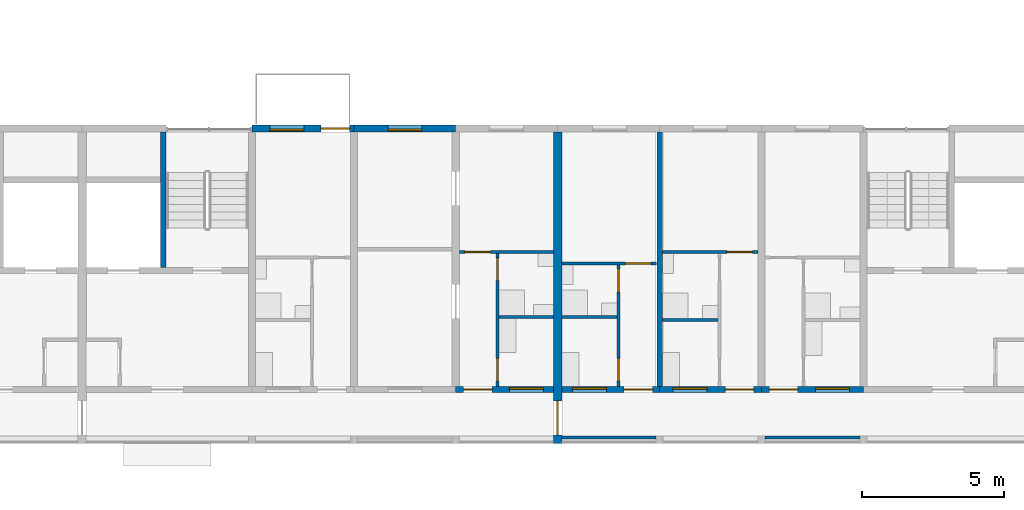
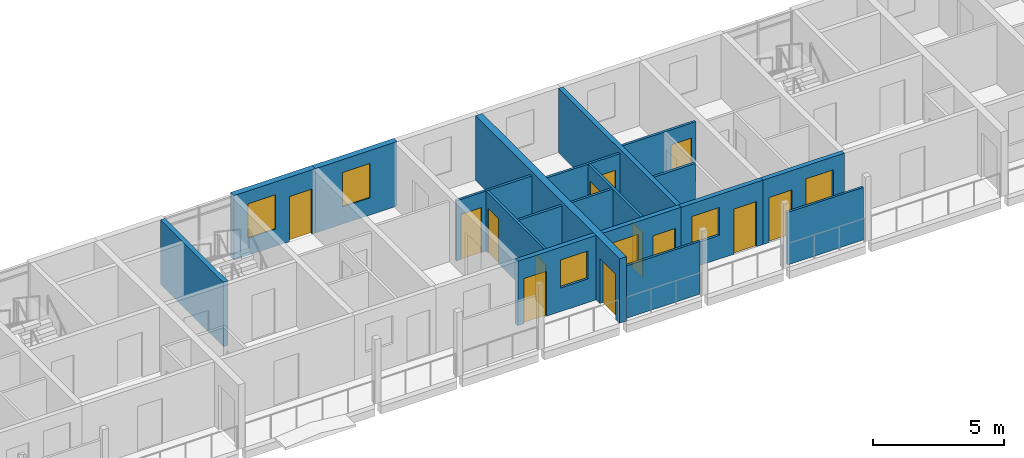
# One storey, part 33 of 100: 19 walls, 13 doors, 6 windows, 19 openings.
"""IFC4 building model written with IfcOpenShell, lengths in metres."""

from ifc_helpers import new_model, si_unit, direction, frame, frame_2d, origin, place, context, subcontext, project, spatial, rectangle, extrude, material, layer, layer_set, type_object, element, fill, save


model = new_model("IFC4")

# Units and contexts
model_context = context("Model", 3, precision=1e-05, world=origin(), true_north=direction((0.0, 1.0)))
body_context = subcontext(model_context, "Body", "Model", "MODEL_VIEW")
ifc_project = project(units=[si_unit("LENGTHUNIT", "METRE"), si_unit("AREAUNIT", "SQUARE_METRE"), si_unit("VOLUMEUNIT", "CUBIC_METRE"), si_unit("PLANEANGLEUNIT", "RADIAN"), si_unit("MASSUNIT", "GRAM", prefix="KILO")], contexts=[model_context])

# Site, building, storey
site_placement = place(None, origin())
site = spatial("IfcSite", under=ifc_project, at=site_placement, CompositionType="ELEMENT")
building_placement = place(site_placement, origin())
building = spatial("IfcBuilding", under=site, at=building_placement, Name="Ridgestep Commons", CompositionType="ELEMENT")
storey_placement = place(building_placement, frame((0.0, 0.0, 9.0)))
storey = spatial("IfcBuildingStorey", under=building, at=storey_placement, Name="L03", CompositionType="ELEMENT", Elevation=9.0)

# Walls
ifc_material_1 = material(Name="Concrete C30/37", Category="concrete")
ifc_layer_1 = layer(ifc_material_1, 0.199951171875)
ifc_layer_set_1 = layer_set([ifc_layer_1], Name="Core wall 200")
wall_type_1 = type_object("IfcWallType", Name="Core wall 200", PredefinedType="SHEAR", material=ifc_layer_set_1)
wall_1_placement = place(storey_placement, frame((48.47509765625, 17.949951171875, 0.0), z_axis=(0.0, 0.0, 1.0), x_axis=(0.0, 1.0, 0.0)))
element("IfcWall", 1, at=wall_1_placement, inside=storey, type_object=wall_type_1, Name="Core stair wall A3C L03", PredefinedType="SHEAR", context=body_context, shape_type="SweptSolid", body=[
    extrude(rectangle(XDim=4.800048828125, YDim=0.199951171875, at=frame_2d((2.39990234375, 0.0))), origin(), (0.0, 0.0, 1.0), 3.0),
])
ifc_material_2 = material(Name="Precast concrete C40/50", Category="concrete")
ifc_layer_2 = layer(ifc_material_2, 0.199951171875)
ifc_layer_set_2 = layer_set([ifc_layer_2], Name="Cross wall 200")
wall_type_2 = type_object("IfcWallType", Name="Cross wall 200", PredefinedType="SHEAR", material=ifc_layer_set_2)
wall_2_placement = place(storey_placement, frame((66.0, 13.75, 0.0), z_axis=(0.0, 0.0, 1.0), x_axis=(0.0, 1.0, 0.0)))
element("IfcWall", 2, at=wall_2_placement, inside=storey, type_object=wall_type_2, Name="Cross wall A-03-0660", PredefinedType="SHEAR", context=body_context, shape_type="SweptSolid", body=[
    extrude(rectangle(XDim=9.0, YDim=0.199951171875, at=frame_2d((4.5, 0.0))), origin(), (0.0, 0.0, 1.0), 3.0),
])

# Wall, opening, door
ifc_material_3 = material(Name="Precast concrete C40/50", Category="concrete")
ifc_layer_3 = layer(ifc_material_3, 0.300048828125)
ifc_layer_set_3 = layer_set([ifc_layer_3], Name="Division wall 300")
wall_type_3 = type_object("IfcWallType", Name="Division wall 300", PredefinedType="SHEAR", material=ifc_layer_set_3)
wall_3_placement = place(storey_placement, frame((62.39990234375, 11.75, 0.0), z_axis=(0.0, 0.0, 1.0), x_axis=(0.0, 1.0, 0.0)))
wall_3 = element("IfcWall", 3, at=wall_3_placement, inside=storey, type_object=wall_type_3, Name="Cross wall A-03-0624", PredefinedType="SHEAR", context=body_context, shape_type="SweptSolid", body=[
    extrude(rectangle(XDim=11.0, YDim=0.300048828125, at=frame_2d((5.5, 0.0))), origin(), (0.0, 0.0, 1.0), 3.0),
])
opening_1_placement = place(wall_3_placement, frame((0.300048828125, 0.0, 0.0)))
opening_1 = element("IfcOpeningElement", 4, at=opening_1_placement, cuts=wall_3, Name="Opening A/03/G0624", PredefinedType="OPENING", context=body_context, shape_type="SweptSolid", body=[
    extrude(rectangle(XDim=1.199951171875, YDim=2.10009765625, at=frame_2d((0.60009765625, 1.050048828125))), frame((0.0, 0.159912109375, 0.0), z_axis=(0.0, -1.0, 0.0), x_axis=(1.0, 0.0, 0.0)), (0.0, 0.0, 1.0), 0.320068359375),
])
ifc_material_4 = material(Name="Steel fire door", Category="steel")
door_type_1 = type_object("IfcDoorType", Name="Division fire door 1200 x 2100 EI 240", OperationType="DOUBLE_DOOR_SINGLE_SWING", PredefinedType="DOOR", material=ifc_material_4)
door_1_placement = place(opening_1_placement, origin())
door_1 = element("IfcDoor", 5, at=door_1_placement, inside=storey, type_object=door_type_1, Name="Division fire door A/03/G0624", OperationType="DOUBLE_DOOR_SINGLE_SWING", OverallHeight=2.10009765625, OverallWidth=1.199951171875, PredefinedType="DOOR", context=body_context, shape_type="SweptSolid", body=[
    extrude(rectangle(XDim=1.199951171875, YDim=2.10009765625, at=frame_2d((0.60009765625, 1.050048828125))), frame((0.0, 0.02490234375, 0.0), z_axis=(0.0, -1.0, 0.0), x_axis=(1.0, 0.0, 0.0)), (0.0, 0.0, 1.0), 0.050048828125),
])
fill(opening_1, door_1)

# Wall, openings, door, window
ifc_material_5 = material(Name="Precast concrete C40/50", Category="concrete")
ifc_layer_4 = layer(ifc_material_5, 0.25)
ifc_layer_set_4 = layer_set([ifc_layer_4], Name="North facade panel 250")
wall_type_4 = type_object("IfcWallType", Name="North facade panel 250", PredefinedType="SOLIDWALL", material=ifc_layer_set_4)
wall_4_placement = place(storey_placement, frame((51.60009765625, 22.875, 0.0), z_axis=(0.0, 0.0, 1.0), x_axis=(1.0, 0.0, 0.0)))
wall_4 = element("IfcWall", 6, at=wall_4_placement, inside=storey, type_object=wall_type_4, Name="North panel A3T3 L03", PredefinedType="SOLIDWALL", context=body_context, shape_type="SweptSolid", body=[
    extrude(rectangle(XDim=3.599853515625, YDim=0.25, at=frame_2d((1.7998046875, 0.0))), origin(), (0.0, 0.0, 1.0), 3.0),
])
opening_2_placement = place(wall_4_placement, frame((0.637451171875, 0.0, 0.800048828125)))
opening_2 = element("IfcOpeningElement", 7, at=opening_2_placement, cuts=wall_4, Name="Opening W11", PredefinedType="OPENING", context=body_context, shape_type="SweptSolid", body=[
    extrude(rectangle(XDim=1.199951171875, YDim=1.60009765625, at=frame_2d((0.60009765625, 0.800048828125))), frame((0.0, 0.135009765625, 0.0), z_axis=(0.0, -1.0, 0.0), x_axis=(1.0, 0.0, 0.0)), (0.0, 0.0, 1.0), 0.27001953125),
])
opening_3_placement = place(wall_4_placement, frame((2.449951171875, 0.0, 0.0)))
opening_3 = element("IfcOpeningElement", 8, at=opening_3_placement, cuts=wall_4, Name="Opening A3-03b/5", PredefinedType="OPENING", context=body_context, shape_type="SweptSolid", body=[
    extrude(rectangle(XDim=1.0, YDim=2.10009765625, at=frame_2d((0.5, 1.050048828125))), frame((0.0, 0.135009765625, 0.0), z_axis=(0.0, -1.0, 0.0), x_axis=(1.0, 0.0, 0.0)), (0.0, 0.0, 1.0), 0.27001953125),
])
ifc_material_6 = material(Name="Aluminium and glass", Category="aluminium")
door_type_2 = type_object("IfcDoorType", Name="Balcony door 1000 x 2100", OperationType="NOTDEFINED", PredefinedType="DOOR", material=ifc_material_6)
door_2_placement = place(opening_3_placement, origin())
door_2 = element("IfcDoor", 9, at=door_2_placement, inside=storey, type_object=door_type_2, Name="Balcony door A3-03b/5", OperationType="SINGLE_SWING_LEFT", OverallHeight=2.10009765625, OverallWidth=1.0, PredefinedType="DOOR", context=body_context, shape_type="SweptSolid", body=[
    extrude(rectangle(XDim=1.0, YDim=2.10009765625, at=frame_2d((0.5, 1.050048828125))), frame((0.0, 0.02490234375, 0.0), z_axis=(0.0, -1.0, 0.0), x_axis=(1.0, 0.0, 0.0)), (0.0, 0.0, 1.0), 0.050048828125),
])
fill(opening_3, door_2)
ifc_material_7 = material(Name="Aluminium 6063-T6 and glass", Category="aluminium")
window_type_1 = type_object("IfcWindowType", Name="Flat window 1200 x 1600", PartitioningType="SINGLE_PANEL", PredefinedType="WINDOW", material=ifc_material_7)
window_1_placement = place(opening_2_placement, origin())
window_1 = element("IfcWindow", 10, at=window_1_placement, inside=storey, type_object=window_type_1, Name="Window A3-03b 2", OverallHeight=1.60009765625, OverallWidth=1.199951171875, PartitioningType="SINGLE_PANEL", PredefinedType="WINDOW", context=body_context, shape_type="SweptSolid", body=[
    extrude(rectangle(XDim=1.199951171875, YDim=1.60009765625, at=frame_2d((0.60009765625, 0.800048828125))), frame((0.0, -0.02490234375, 0.0), z_axis=(0.0, -1.0, 0.0), x_axis=(1.0, 0.0, 0.0)), (0.0, 0.0, 1.0), 0.06005859375),
])
fill(opening_2, window_1)

# Wall, opening, window
wall_5_placement = place(storey_placement, frame((55.199951171875, 22.875, 0.0), z_axis=(0.0, 0.0, 1.0), x_axis=(1.0, 0.0, 0.0)))
wall_5 = element("IfcWall", 11, at=wall_5_placement, inside=storey, type_object=wall_type_4, Name="North panel A3T2 L03", PredefinedType="SOLIDWALL", context=body_context, shape_type="SweptSolid", body=[
    extrude(rectangle(XDim=3.60009765625, YDim=0.25, at=frame_2d((1.800048828125, 0.0))), origin(), (0.0, 0.0, 1.0), 3.0),
])
opening_4_placement = place(wall_5_placement, frame((1.199951171875, 0.0, 0.800048828125)))
opening_4 = element("IfcOpeningElement", 12, at=opening_4_placement, cuts=wall_5, Name="Opening W11", PredefinedType="OPENING", context=body_context, shape_type="SweptSolid", body=[
    extrude(rectangle(XDim=1.199951171875, YDim=1.60009765625, at=frame_2d((0.60009765625, 0.800048828125))), frame((0.0, 0.135009765625, 0.0), z_axis=(0.0, -1.0, 0.0), x_axis=(1.0, 0.0, 0.0)), (0.0, 0.0, 1.0), 0.27001953125),
])
window_2_placement = place(opening_4_placement, origin())
window_2 = element("IfcWindow", 13, at=window_2_placement, inside=storey, type_object=window_type_1, Name="Window A3-03a 2", OverallHeight=1.60009765625, OverallWidth=1.199951171875, PartitioningType="SINGLE_PANEL", PredefinedType="WINDOW", context=body_context, shape_type="SweptSolid", body=[
    extrude(rectangle(XDim=1.199951171875, YDim=1.60009765625, at=frame_2d((0.60009765625, 0.800048828125))), frame((0.0, -0.02490234375, 0.0), z_axis=(0.0, -1.0, 0.0), x_axis=(1.0, 0.0, 0.0)), (0.0, 0.0, 1.0), 0.06005859375),
])
fill(opening_4, window_2)

# Wall, openings, doors
ifc_material_8 = material(Name="Common brick 110 mm", Category="masonry")
ifc_layer_5 = layer(ifc_material_8, 0.110107421875)
ifc_layer_set_5 = layer_set([ifc_layer_5], Name="Partition 110")
wall_type_5 = type_object("IfcWallType", Name="Partition 110", PredefinedType="PARTITIONING", material=ifc_layer_set_5)
wall_6_placement = place(storey_placement, frame((60.280029296875, 13.75, 0.0), z_axis=(0.0, 0.0, 1.0), x_axis=(0.0, 1.0, 0.0)))
wall_6 = element("IfcWall", 14, at=wall_6_placement, inside=storey, type_object=wall_type_5, Name="Partition A3-03a", PredefinedType="PARTITIONING", context=body_context, shape_type="SweptSolid", body=[
    extrude(rectangle(XDim=4.699951171875, YDim=0.110107421875, at=frame_2d((2.35009765625, 0.0))), origin(), (0.0, 0.0, 1.0), 2.800048828125),
])
opening_5_placement = place(wall_6_placement, frame((0.199951171875, 0.0, 0.0)))
opening_5 = element("IfcOpeningElement", 15, at=opening_5_placement, cuts=wall_6, Name="Opening A3-03a/2", PredefinedType="OPENING", context=body_context, shape_type="SweptSolid", body=[
    extrude(rectangle(XDim=0.800048828125, YDim=2.10009765625, at=frame_2d((0.39990234375, 1.050048828125))), frame((0.0, 0.06494140625, 0.0), z_axis=(0.0, -1.0, 0.0), x_axis=(1.0, 0.0, 0.0)), (0.0, 0.0, 1.0), 0.130126953125),
])
opening_6_placement = place(wall_6_placement, frame((3.75, 0.0, 0.0)))
opening_6 = element("IfcOpeningElement", 16, at=opening_6_placement, cuts=wall_6, Name="Opening A3-03a/3", PredefinedType="OPENING", context=body_context, shape_type="SweptSolid", body=[
    extrude(rectangle(XDim=0.800048828125, YDim=2.10009765625, at=frame_2d((0.39990234375, 1.050048828125))), frame((0.0, 0.06494140625, 0.0), z_axis=(0.0, -1.0, 0.0), x_axis=(1.0, 0.0, 0.0)), (0.0, 0.0, 1.0), 0.130126953125),
])
ifc_material_9 = material(Name="Timber door leaf", Category="wood")
door_type_3 = type_object("IfcDoorType", Name="Internal door 800 x 2100", OperationType="NOTDEFINED", PredefinedType="DOOR", material=ifc_material_9)
door_3_placement = place(opening_5_placement, origin())
door_3 = element("IfcDoor", 17, at=door_3_placement, inside=storey, type_object=door_type_3, Name="Internal door A3-03a/2", OperationType="SINGLE_SWING_RIGHT", OverallHeight=2.10009765625, OverallWidth=0.800048828125, PredefinedType="DOOR", context=body_context, shape_type="SweptSolid", body=[
    extrude(rectangle(XDim=0.800048828125, YDim=2.10009765625, at=frame_2d((0.39990234375, 1.050048828125))), frame((0.0, 0.02490234375, 0.0), z_axis=(0.0, -1.0, 0.0), x_axis=(1.0, 0.0, 0.0)), (0.0, 0.0, 1.0), 0.050048828125),
])
fill(opening_5, door_3)
door_4_placement = place(opening_6_placement, origin())
door_4 = element("IfcDoor", 18, at=door_4_placement, inside=storey, type_object=door_type_3, Name="Internal door A3-03a/3", OperationType="SINGLE_SWING_LEFT", OverallHeight=2.10009765625, OverallWidth=0.800048828125, PredefinedType="DOOR", context=body_context, shape_type="SweptSolid", body=[
    extrude(rectangle(XDim=0.800048828125, YDim=2.10009765625, at=frame_2d((0.39990234375, 1.050048828125))), frame((0.0, 0.02490234375, 0.0), z_axis=(0.0, -1.0, 0.0), x_axis=(1.0, 0.0, 0.0)), (0.0, 0.0, 1.0), 0.050048828125),
])
fill(opening_6, door_4)

# Wall
wall_7_placement = place(storey_placement, frame((60.3349609375, 16.205078125, 0.0), z_axis=(0.0, 0.0, 1.0), x_axis=(1.0, 0.0, 0.0)))
element("IfcWall", 19, at=wall_7_placement, inside=storey, type_object=wall_type_5, Name="Partition A3-03a", PredefinedType="PARTITIONING", context=body_context, shape_type="SweptSolid", body=[
    extrude(rectangle(XDim=1.9150390625, YDim=0.110107421875, at=frame_2d((0.95751953125, 0.0))), origin(), (0.0, 0.0, 1.0), 2.800048828125),
])

# Wall, opening, door
wall_8_placement = place(storey_placement, frame((58.925048828125, 18.5048828125, 0.0), z_axis=(0.0, 0.0, 1.0), x_axis=(1.0, 0.0, 0.0)))
wall_8 = element("IfcWall", 20, at=wall_8_placement, inside=storey, type_object=wall_type_5, Name="Partition A3-03a", PredefinedType="PARTITIONING", context=body_context, shape_type="SweptSolid", body=[
    extrude(rectangle(XDim=3.324951171875, YDim=0.110107421875, at=frame_2d((1.66259765625, 0.0))), origin(), (0.0, 0.0, 1.0), 2.800048828125),
])
opening_7_placement = place(wall_8_placement, frame((0.199951171875, 0.0, 0.0)))
opening_7 = element("IfcOpeningElement", 21, at=opening_7_placement, cuts=wall_8, Name="Opening A3-03a/4", PredefinedType="OPENING", context=body_context, shape_type="SweptSolid", body=[
    extrude(rectangle(XDim=0.89990234375, YDim=2.10009765625, at=frame_2d((0.449951171875, 1.050048828125))), frame((0.0, 0.06494140625, 0.0), z_axis=(0.0, -1.0, 0.0), x_axis=(1.0, 0.0, 0.0)), (0.0, 0.0, 1.0), 0.130126953125),
])
ifc_material_10 = material(Name="Timber door leaf", Category="wood")
door_type_4 = type_object("IfcDoorType", Name="Internal door 900 x 2100", OperationType="NOTDEFINED", PredefinedType="DOOR", material=ifc_material_10)
door_5_placement = place(opening_7_placement, origin())
door_5 = element("IfcDoor", 22, at=door_5_placement, inside=storey, type_object=door_type_4, Name="Internal door A3-03a/4", OperationType="SINGLE_SWING_LEFT", OverallHeight=2.10009765625, OverallWidth=0.89990234375, PredefinedType="DOOR", context=body_context, shape_type="SweptSolid", body=[
    extrude(rectangle(XDim=0.89990234375, YDim=2.10009765625, at=frame_2d((0.449951171875, 1.050048828125))), frame((0.0, 0.02490234375, 0.0), z_axis=(0.0, -1.0, 0.0), x_axis=(1.0, 0.0, 0.0)), (0.0, 0.0, 1.0), 0.050048828125),
])
fill(opening_7, door_5)

# Wall
wall_9_placement = place(storey_placement, frame((62.550048828125, 16.205078125, 0.0), z_axis=(0.0, 0.0, 1.0), x_axis=(1.0, 0.0, 0.0)))
element("IfcWall", 23, at=wall_9_placement, inside=storey, type_object=wall_type_5, Name="Partition A4-03a", PredefinedType="PARTITIONING", context=body_context, shape_type="SweptSolid", body=[
    extrude(rectangle(XDim=1.93994140625, YDim=0.110107421875, at=frame_2d((0.969970703125, 0.0))), origin(), (0.0, 0.0, 1.0), 2.800048828125),
])

# Wall, openings, doors
wall_10_placement = place(storey_placement, frame((64.544921875, 13.75, 0.0), z_axis=(0.0, 0.0, 1.0), x_axis=(0.0, 1.0, 0.0)))
wall_10 = element("IfcWall", 24, at=wall_10_placement, inside=storey, type_object=wall_type_5, Name="Partition A4-03a", PredefinedType="PARTITIONING", context=body_context, shape_type="SweptSolid", body=[
    extrude(rectangle(XDim=4.300048828125, YDim=0.110107421875, at=frame_2d((2.14990234375, 0.0))), origin(), (0.0, 0.0, 1.0), 2.800048828125),
])
opening_8_placement = place(wall_10_placement, frame((0.199951171875, 0.0, 0.0)))
opening_8 = element("IfcOpeningElement", 25, at=opening_8_placement, cuts=wall_10, Name="Opening A4-03a/2", PredefinedType="OPENING", context=body_context, shape_type="SweptSolid", body=[
    extrude(rectangle(XDim=0.800048828125, YDim=2.10009765625, at=frame_2d((0.39990234375, 1.050048828125))), frame((0.0, 0.06494140625, 0.0), z_axis=(0.0, -1.0, 0.0), x_axis=(1.0, 0.0, 0.0)), (0.0, 0.0, 1.0), 0.130126953125),
])
opening_9_placement = place(wall_10_placement, frame((3.35009765625, 0.0, 0.0)))
opening_9 = element("IfcOpeningElement", 26, at=opening_9_placement, cuts=wall_10, Name="Opening A4-03a/3", PredefinedType="OPENING", context=body_context, shape_type="SweptSolid", body=[
    extrude(rectangle(XDim=0.800048828125, YDim=2.10009765625, at=frame_2d((0.39990234375, 1.050048828125))), frame((0.0, 0.06494140625, 0.0), z_axis=(0.0, -1.0, 0.0), x_axis=(1.0, 0.0, 0.0)), (0.0, 0.0, 1.0), 0.130126953125),
])
door_6_placement = place(opening_8_placement, origin())
door_6 = element("IfcDoor", 27, at=door_6_placement, inside=storey, type_object=door_type_3, Name="Internal door A4-03a/2", OperationType="SINGLE_SWING_LEFT", OverallHeight=2.10009765625, OverallWidth=0.800048828125, PredefinedType="DOOR", context=body_context, shape_type="SweptSolid", body=[
    extrude(rectangle(XDim=0.800048828125, YDim=2.10009765625, at=frame_2d((0.39990234375, 1.050048828125))), frame((0.0, 0.02490234375, 0.0), z_axis=(0.0, -1.0, 0.0), x_axis=(1.0, 0.0, 0.0)), (0.0, 0.0, 1.0), 0.050048828125),
])
fill(opening_8, door_6)
door_7_placement = place(opening_9_placement, origin())
door_7 = element("IfcDoor", 28, at=door_7_placement, inside=storey, type_object=door_type_3, Name="Internal door A4-03a/3", OperationType="SINGLE_SWING_RIGHT", OverallHeight=2.10009765625, OverallWidth=0.800048828125, PredefinedType="DOOR", context=body_context, shape_type="SweptSolid", body=[
    extrude(rectangle(XDim=0.800048828125, YDim=2.10009765625, at=frame_2d((0.39990234375, 1.050048828125))), frame((0.0, 0.02490234375, 0.0), z_axis=(0.0, -1.0, 0.0), x_axis=(1.0, 0.0, 0.0)), (0.0, 0.0, 1.0), 0.050048828125),
])
fill(opening_9, door_7)

# Wall, opening, door
wall_11_placement = place(storey_placement, frame((62.550048828125, 18.10498046875, 0.0), z_axis=(0.0, 0.0, 1.0), x_axis=(1.0, 0.0, 0.0)))
wall_11 = element("IfcWall", 29, at=wall_11_placement, inside=storey, type_object=wall_type_5, Name="Partition A4-03a", PredefinedType="PARTITIONING", context=body_context, shape_type="SweptSolid", body=[
    extrude(rectangle(XDim=3.349853515625, YDim=0.110107421875, at=frame_2d((1.6748046875, 0.0))), origin(), (0.0, 0.0, 1.0), 2.800048828125),
])
opening_10_placement = place(wall_11_placement, frame((2.25, 0.0, 0.0)))
opening_10 = element("IfcOpeningElement", 30, at=opening_10_placement, cuts=wall_11, Name="Opening A4-03a/4", PredefinedType="OPENING", context=body_context, shape_type="SweptSolid", body=[
    extrude(rectangle(XDim=0.89990234375, YDim=2.10009765625, at=frame_2d((0.449951171875, 1.050048828125))), frame((0.0, 0.06494140625, 0.0), z_axis=(0.0, -1.0, 0.0), x_axis=(1.0, 0.0, 0.0)), (0.0, 0.0, 1.0), 0.130126953125),
])
door_8_placement = place(opening_10_placement, origin())
door_8 = element("IfcDoor", 31, at=door_8_placement, inside=storey, type_object=door_type_4, Name="Internal door A4-03a/4", OperationType="SINGLE_SWING_LEFT", OverallHeight=2.10009765625, OverallWidth=0.89990234375, PredefinedType="DOOR", context=body_context, shape_type="SweptSolid", body=[
    extrude(rectangle(XDim=0.89990234375, YDim=2.10009765625, at=frame_2d((0.449951171875, 1.050048828125))), frame((0.0, 0.02490234375, 0.0), z_axis=(0.0, -1.0, 0.0), x_axis=(1.0, 0.0, 0.0)), (0.0, 0.0, 1.0), 0.050048828125),
])
fill(opening_10, door_8)

# Wall
wall_12_placement = place(storey_placement, frame((66.10009765625, 16.10498046875, 0.0), z_axis=(0.0, 0.0, 1.0), x_axis=(1.0, 0.0, 0.0)))
element("IfcWall", 32, at=wall_12_placement, inside=storey, type_object=wall_type_5, Name="Partition A4-03b", PredefinedType="PARTITIONING", context=body_context, shape_type="SweptSolid", body=[
    extrude(rectangle(XDim=1.96484375, YDim=0.110107421875, at=frame_2d((0.982421875, 0.0))), origin(), (0.0, 0.0, 1.0), 2.800048828125),
])

# Wall, opening, door
wall_13_placement = place(storey_placement, frame((66.10009765625, 18.5048828125, 0.0), z_axis=(0.0, 0.0, 1.0), x_axis=(1.0, 0.0, 0.0)))
wall_13 = element("IfcWall", 33, at=wall_13_placement, inside=storey, type_object=wall_type_5, Name="Partition A4-03b", PredefinedType="PARTITIONING", context=body_context, shape_type="SweptSolid", body=[
    extrude(rectangle(XDim=3.375, YDim=0.110107421875, at=frame_2d((1.6875, 0.0))), origin(), (0.0, 0.0, 1.0), 2.800048828125),
])
opening_11_placement = place(wall_13_placement, frame((2.27490234375, 0.0, 0.0)))
opening_11 = element("IfcOpeningElement", 34, at=opening_11_placement, cuts=wall_13, Name="Opening A4-03b/4", PredefinedType="OPENING", context=body_context, shape_type="SweptSolid", body=[
    extrude(rectangle(XDim=0.89990234375, YDim=2.10009765625, at=frame_2d((0.449951171875, 1.050048828125))), frame((0.0, 0.06494140625, 0.0), z_axis=(0.0, -1.0, 0.0), x_axis=(1.0, 0.0, 0.0)), (0.0, 0.0, 1.0), 0.130126953125),
])
door_9_placement = place(opening_11_placement, origin())
door_9 = element("IfcDoor", 35, at=door_9_placement, inside=storey, type_object=door_type_4, Name="Internal door A4-03b/4", OperationType="SINGLE_SWING_RIGHT", OverallHeight=2.10009765625, OverallWidth=0.89990234375, PredefinedType="DOOR", context=body_context, shape_type="SweptSolid", body=[
    extrude(rectangle(XDim=0.89990234375, YDim=2.10009765625, at=frame_2d((0.449951171875, 1.050048828125))), frame((0.0, 0.02490234375, 0.0), z_axis=(0.0, -1.0, 0.0), x_axis=(1.0, 0.0, 0.0)), (0.0, 0.0, 1.0), 0.050048828125),
])
fill(opening_11, door_9)

# Walls
ifc_material_11 = material(Name="Precast concrete C30/37", Category="concrete")
ifc_layer_6 = layer(ifc_material_11, 0.10009765625)
ifc_layer_set_6 = layer_set([ifc_layer_6], Name="Perforated gallery screen 3325 x 2450 x 100")
wall_type_6 = type_object("IfcWallType", Name="Perforated gallery screen 3325 x 2450 x 100", PredefinedType="SOLIDWALL", material=ifc_layer_set_6)
wall_14_placement = place(storey_placement, frame((62.550048828125, 11.949951171875, 0.0), z_axis=(0.0, 0.0, 1.0), x_axis=(1.0, 0.0, 0.0)))
element("IfcWall", 36, at=wall_14_placement, inside=storey, type_object=wall_type_6, Name="Gallery screen A4T1 03", PredefinedType="SOLIDWALL", context=body_context, shape_type="SweptSolid", body=[
    extrude(rectangle(XDim=3.324951171875, YDim=0.10009765625, at=frame_2d((1.66259765625, 0.0))), origin(), (0.0, 0.0, 1.0), 2.449951171875),
])
ifc_material_12 = material(Name="Precast concrete C30/37", Category="concrete")
ifc_layer_7 = layer(ifc_material_12, 0.10009765625)
ifc_layer_set_7 = layer_set([ifc_layer_7], Name="Perforated gallery screen 3350 x 2450 x 100")
wall_type_7 = type_object("IfcWallType", Name="Perforated gallery screen 3350 x 2450 x 100", PredefinedType="SOLIDWALL", material=ifc_layer_set_7)
wall_15_placement = place(storey_placement, frame((69.72509765625, 11.949951171875, 0.0), z_axis=(0.0, 0.0, 1.0), x_axis=(1.0, 0.0, 0.0)))
element("IfcWall", 37, at=wall_15_placement, inside=storey, type_object=wall_type_7, Name="Gallery screen A4T3 03", PredefinedType="SOLIDWALL", context=body_context, shape_type="SweptSolid", body=[
    extrude(rectangle(XDim=3.349853515625, YDim=0.10009765625, at=frame_2d((1.6748046875, 0.0))), origin(), (0.0, 0.0, 1.0), 2.449951171875),
])

# Wall, openings, door, window
ifc_material_13 = material(Name="Precast concrete C40/50", Category="concrete")
ifc_layer_8 = layer(ifc_material_13, 0.199951171875)
ifc_layer_set_8 = layer_set([ifc_layer_8], Name="South facade panel 200")
wall_type_8 = type_object("IfcWallType", Name="South facade panel 200", PredefinedType="SOLIDWALL", material=ifc_layer_set_8)
wall_16_placement = place(storey_placement, frame((58.800048828125, 13.64990234375, 0.0), z_axis=(0.0, 0.0, 1.0), x_axis=(1.0, 0.0, 0.0)))
wall_16 = element("IfcWall", 38, at=wall_16_placement, inside=storey, type_object=wall_type_8, Name="South panel A3T1 L03", PredefinedType="SOLIDWALL", context=body_context, shape_type="SweptSolid", body=[
    extrude(rectangle(XDim=3.449951171875, YDim=0.199951171875, at=frame_2d((1.72509765625, 0.0))), origin(), (0.0, 0.0, 1.0), 3.0),
])
opening_12_placement = place(wall_16_placement, frame((1.892578125, 0.0, 1.10009765625)))
opening_12 = element("IfcOpeningElement", 39, at=opening_12_placement, cuts=wall_16, Name="Opening W08", PredefinedType="OPENING", context=body_context, shape_type="SweptSolid", body=[
    extrude(rectangle(XDim=1.199951171875, YDim=1.300048828125, at=frame_2d((0.60009765625, 0.64990234375))), frame((0.0, 0.10986328125, 0.0), z_axis=(0.0, -1.0, 0.0), x_axis=(1.0, 0.0, 0.0)), (0.0, 0.0, 1.0), 0.219970703125),
])
opening_13_placement = place(wall_16_placement, frame((0.27490234375, 0.0, 0.0)))
opening_13 = element("IfcOpeningElement", 40, at=opening_13_placement, cuts=wall_16, Name="Opening A3-03a/1", PredefinedType="OPENING", context=body_context, shape_type="SweptSolid", body=[
    extrude(rectangle(XDim=1.0, YDim=2.10009765625, at=frame_2d((0.5, 1.050048828125))), frame((0.0, 0.10986328125, 0.0), z_axis=(0.0, -1.0, 0.0), x_axis=(1.0, 0.0, 0.0)), (0.0, 0.0, 1.0), 0.219970703125),
])
ifc_material_14 = material(Name="Timber door leaf", Category="wood")
door_type_5 = type_object("IfcDoorType", Name="Flat entrance door 1000 x 2100 FD30S", OperationType="NOTDEFINED", PredefinedType="DOOR", material=ifc_material_14)
door_10_placement = place(opening_13_placement, origin())
door_10 = element("IfcDoor", 41, at=door_10_placement, inside=storey, type_object=door_type_5, Name="Flat entrance door A3-03a/1", OperationType="SINGLE_SWING_LEFT", OverallHeight=2.10009765625, OverallWidth=1.0, PredefinedType="DOOR", context=body_context, shape_type="SweptSolid", body=[
    extrude(rectangle(XDim=1.0, YDim=2.10009765625, at=frame_2d((0.5, 1.050048828125))), frame((0.0, 0.02490234375, 0.0), z_axis=(0.0, -1.0, 0.0), x_axis=(1.0, 0.0, 0.0)), (0.0, 0.0, 1.0), 0.050048828125),
])
fill(opening_13, door_10)
ifc_material_15 = material(Name="Aluminium 6063-T6 and glass", Category="aluminium")
window_type_2 = type_object("IfcWindowType", Name="Flat window 1200 x 1300", PartitioningType="SINGLE_PANEL", PredefinedType="WINDOW", material=ifc_material_15)
window_3_placement = place(opening_12_placement, origin())
window_3 = element("IfcWindow", 42, at=window_3_placement, inside=storey, type_object=window_type_2, Name="Window A3-03a 3", OverallHeight=1.300048828125, OverallWidth=1.199951171875, PartitioningType="SINGLE_PANEL", PredefinedType="WINDOW", context=body_context, shape_type="SweptSolid", body=[
    extrude(rectangle(XDim=1.199951171875, YDim=1.300048828125, at=frame_2d((0.60009765625, 0.64990234375))), frame((0.0, 0.06005859375, 0.0), z_axis=(0.0, -1.0, 0.0), x_axis=(1.0, 0.0, 0.0)), (0.0, 0.0, 1.0), 0.06005859375),
])
fill(opening_12, window_3)

wall_17_placement = place(storey_placement, frame((62.550048828125, 13.64990234375, 0.0), z_axis=(0.0, 0.0, 1.0), x_axis=(1.0, 0.0, 0.0)))
wall_17 = element("IfcWall", 43, at=wall_17_placement, inside=storey, type_object=wall_type_8, Name="South panel A4T1 L03", PredefinedType="SOLIDWALL", context=body_context, shape_type="SweptSolid", body=[
    extrude(rectangle(XDim=3.449951171875, YDim=0.199951171875, at=frame_2d((1.72509765625, 0.0))), origin(), (0.0, 0.0, 1.0), 3.0),
])
opening_14_placement = place(wall_17_placement, frame((0.3701171875, 0.0, 1.10009765625)))
opening_14 = element("IfcOpeningElement", 44, at=opening_14_placement, cuts=wall_17, Name="Opening W08", PredefinedType="OPENING", context=body_context, shape_type="SweptSolid", body=[
    extrude(rectangle(XDim=1.199951171875, YDim=1.300048828125, at=frame_2d((0.60009765625, 0.64990234375))), frame((0.0, 0.10986328125, 0.0), z_axis=(0.0, -1.0, 0.0), x_axis=(1.0, 0.0, 0.0)), (0.0, 0.0, 1.0), 0.219970703125),
])
opening_15_placement = place(wall_17_placement, frame((2.199951171875, 0.0, 0.0)))
opening_15 = element("IfcOpeningElement", 45, at=opening_15_placement, cuts=wall_17, Name="Opening A4-03a/1", PredefinedType="OPENING", context=body_context, shape_type="SweptSolid", body=[
    extrude(rectangle(XDim=1.0, YDim=2.10009765625, at=frame_2d((0.5, 1.050048828125))), frame((0.0, 0.10986328125, 0.0), z_axis=(0.0, -1.0, 0.0), x_axis=(1.0, 0.0, 0.0)), (0.0, 0.0, 1.0), 0.219970703125),
])
door_11_placement = place(opening_15_placement, origin())
door_11 = element("IfcDoor", 46, at=door_11_placement, inside=storey, type_object=door_type_5, Name="Flat entrance door A4-03a/1", OperationType="SINGLE_SWING_RIGHT", OverallHeight=2.10009765625, OverallWidth=1.0, PredefinedType="DOOR", context=body_context, shape_type="SweptSolid", body=[
    extrude(rectangle(XDim=1.0, YDim=2.10009765625, at=frame_2d((0.5, 1.050048828125))), frame((0.0, 0.02490234375, 0.0), z_axis=(0.0, -1.0, 0.0), x_axis=(1.0, 0.0, 0.0)), (0.0, 0.0, 1.0), 0.050048828125),
])
fill(opening_15, door_11)
window_4_placement = place(opening_14_placement, origin())
window_4 = element("IfcWindow", 47, at=window_4_placement, inside=storey, type_object=window_type_2, Name="Window A4-03a 1", OverallHeight=1.300048828125, OverallWidth=1.199951171875, PartitioningType="SINGLE_PANEL", PredefinedType="WINDOW", context=body_context, shape_type="SweptSolid", body=[
    extrude(rectangle(XDim=1.199951171875, YDim=1.300048828125, at=frame_2d((0.60009765625, 0.64990234375))), frame((0.0, 0.06005859375, 0.0), z_axis=(0.0, -1.0, 0.0), x_axis=(1.0, 0.0, 0.0)), (0.0, 0.0, 1.0), 0.06005859375),
])
fill(opening_14, window_4)

wall_18_placement = place(storey_placement, frame((66.0, 13.64990234375, 0.0), z_axis=(0.0, 0.0, 1.0), x_axis=(1.0, 0.0, 0.0)))
wall_18 = element("IfcWall", 48, at=wall_18_placement, inside=storey, type_object=wall_type_8, Name="South panel A4T2 L03", PredefinedType="SOLIDWALL", context=body_context, shape_type="SweptSolid", body=[
    extrude(rectangle(XDim=3.60009765625, YDim=0.199951171875, at=frame_2d((1.800048828125, 0.0))), origin(), (0.0, 0.0, 1.0), 3.0),
])
opening_16_placement = place(wall_18_placement, frame((0.482421875, 0.0, 1.10009765625)))
opening_16 = element("IfcOpeningElement", 49, at=opening_16_placement, cuts=wall_18, Name="Opening W08", PredefinedType="OPENING", context=body_context, shape_type="SweptSolid", body=[
    extrude(rectangle(XDim=1.199951171875, YDim=1.300048828125, at=frame_2d((0.60009765625, 0.64990234375))), frame((0.0, 0.10986328125, 0.0), z_axis=(0.0, -1.0, 0.0), x_axis=(1.0, 0.0, 0.0)), (0.0, 0.0, 1.0), 0.219970703125),
])
opening_17_placement = place(wall_18_placement, frame((2.324951171875, 0.0, 0.0)))
opening_17 = element("IfcOpeningElement", 50, at=opening_17_placement, cuts=wall_18, Name="Opening A4-03b/1", PredefinedType="OPENING", context=body_context, shape_type="SweptSolid", body=[
    extrude(rectangle(XDim=1.0, YDim=2.10009765625, at=frame_2d((0.5, 1.050048828125))), frame((0.0, 0.10986328125, 0.0), z_axis=(0.0, -1.0, 0.0), x_axis=(1.0, 0.0, 0.0)), (0.0, 0.0, 1.0), 0.219970703125),
])
door_12_placement = place(opening_17_placement, origin())
door_12 = element("IfcDoor", 51, at=door_12_placement, inside=storey, type_object=door_type_5, Name="Flat entrance door A4-03b/1", OperationType="SINGLE_SWING_RIGHT", OverallHeight=2.10009765625, OverallWidth=1.0, PredefinedType="DOOR", context=body_context, shape_type="SweptSolid", body=[
    extrude(rectangle(XDim=1.0, YDim=2.10009765625, at=frame_2d((0.5, 1.050048828125))), frame((0.0, 0.02490234375, 0.0), z_axis=(0.0, -1.0, 0.0), x_axis=(1.0, 0.0, 0.0)), (0.0, 0.0, 1.0), 0.050048828125),
])
fill(opening_17, door_12)
window_5_placement = place(opening_16_placement, origin())
window_5 = element("IfcWindow", 52, at=window_5_placement, inside=storey, type_object=window_type_2, Name="Window A4-03b 1", OverallHeight=1.300048828125, OverallWidth=1.199951171875, PartitioningType="SINGLE_PANEL", PredefinedType="WINDOW", context=body_context, shape_type="SweptSolid", body=[
    extrude(rectangle(XDim=1.199951171875, YDim=1.300048828125, at=frame_2d((0.60009765625, 0.64990234375))), frame((0.0, 0.06005859375, 0.0), z_axis=(0.0, -1.0, 0.0), x_axis=(1.0, 0.0, 0.0)), (0.0, 0.0, 1.0), 0.06005859375),
])
fill(opening_16, window_5)

wall_19_placement = place(storey_placement, frame((69.60009765625, 13.64990234375, 0.0), z_axis=(0.0, 0.0, 1.0), x_axis=(1.0, 0.0, 0.0)))
wall_19 = element("IfcWall", 53, at=wall_19_placement, inside=storey, type_object=wall_type_8, Name="South panel A4T3 L03", PredefinedType="SOLIDWALL", context=body_context, shape_type="SweptSolid", body=[
    extrude(rectangle(XDim=3.599853515625, YDim=0.199951171875, at=frame_2d((1.7998046875, 0.0))), origin(), (0.0, 0.0, 1.0), 3.0),
])
opening_18_placement = place(wall_19_placement, frame((1.905029296875, 0.0, 1.10009765625)))
opening_18 = element("IfcOpeningElement", 54, at=opening_18_placement, cuts=wall_19, Name="Opening W08", PredefinedType="OPENING", context=body_context, shape_type="SweptSolid", body=[
    extrude(rectangle(XDim=1.199951171875, YDim=1.300048828125, at=frame_2d((0.60009765625, 0.64990234375))), frame((0.0, 0.10986328125, 0.0), z_axis=(0.0, -1.0, 0.0), x_axis=(1.0, 0.0, 0.0)), (0.0, 0.0, 1.0), 0.219970703125),
])
opening_19_placement = place(wall_19_placement, frame((0.27490234375, 0.0, 0.0)))
opening_19 = element("IfcOpeningElement", 55, at=opening_19_placement, cuts=wall_19, Name="Opening A4-03c/1", PredefinedType="OPENING", context=body_context, shape_type="SweptSolid", body=[
    extrude(rectangle(XDim=1.0, YDim=2.10009765625, at=frame_2d((0.5, 1.050048828125))), frame((0.0, 0.10986328125, 0.0), z_axis=(0.0, -1.0, 0.0), x_axis=(1.0, 0.0, 0.0)), (0.0, 0.0, 1.0), 0.219970703125),
])
door_13_placement = place(opening_19_placement, origin())
door_13 = element("IfcDoor", 56, at=door_13_placement, inside=storey, type_object=door_type_5, Name="Flat entrance door A4-03c/1", OperationType="SINGLE_SWING_LEFT", OverallHeight=2.10009765625, OverallWidth=1.0, PredefinedType="DOOR", context=body_context, shape_type="SweptSolid", body=[
    extrude(rectangle(XDim=1.0, YDim=2.10009765625, at=frame_2d((0.5, 1.050048828125))), frame((0.0, 0.02490234375, 0.0), z_axis=(0.0, -1.0, 0.0), x_axis=(1.0, 0.0, 0.0)), (0.0, 0.0, 1.0), 0.050048828125),
])
fill(opening_19, door_13)
window_6_placement = place(opening_18_placement, origin())
window_6 = element("IfcWindow", 57, at=window_6_placement, inside=storey, type_object=window_type_2, Name="Window A4-03c 1", OverallHeight=1.300048828125, OverallWidth=1.199951171875, PartitioningType="SINGLE_PANEL", PredefinedType="WINDOW", context=body_context, shape_type="SweptSolid", body=[
    extrude(rectangle(XDim=1.199951171875, YDim=1.300048828125, at=frame_2d((0.60009765625, 0.64990234375))), frame((0.0, 0.06005859375, 0.0), z_axis=(0.0, -1.0, 0.0), x_axis=(1.0, 0.0, 0.0)), (0.0, 0.0, 1.0), 0.06005859375),
])
fill(opening_18, window_6)

save(model, "model.ifc")
